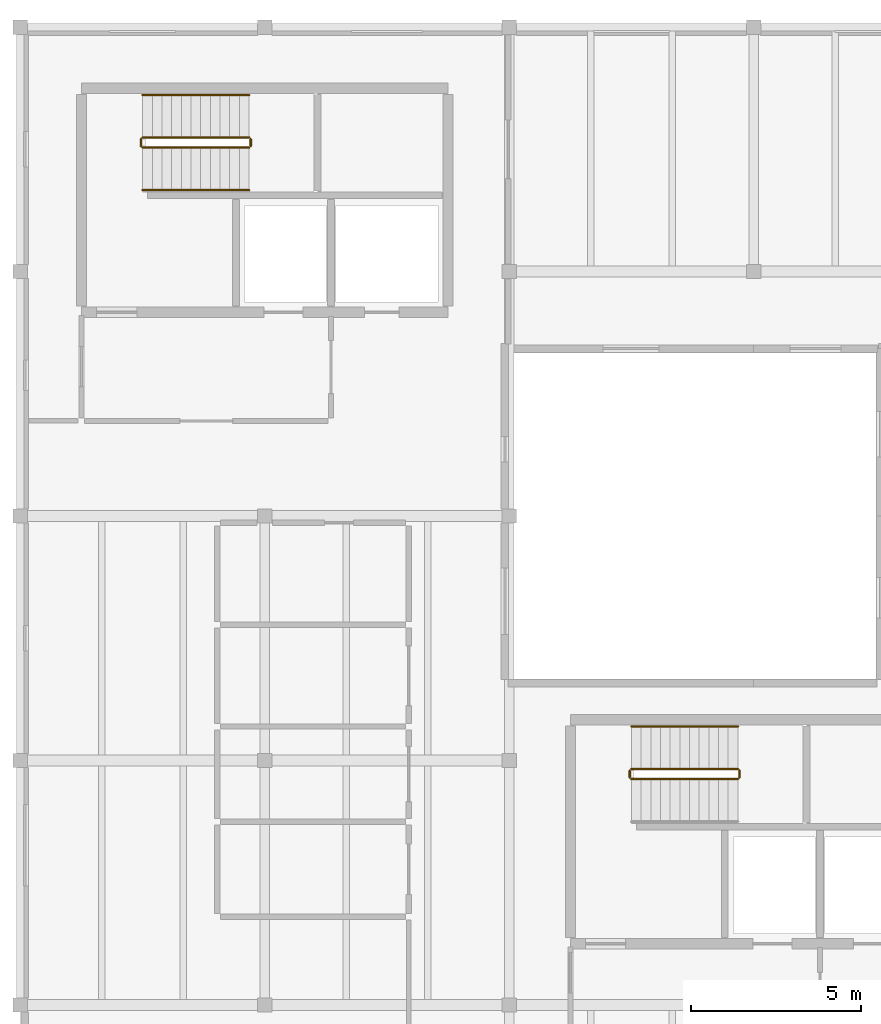
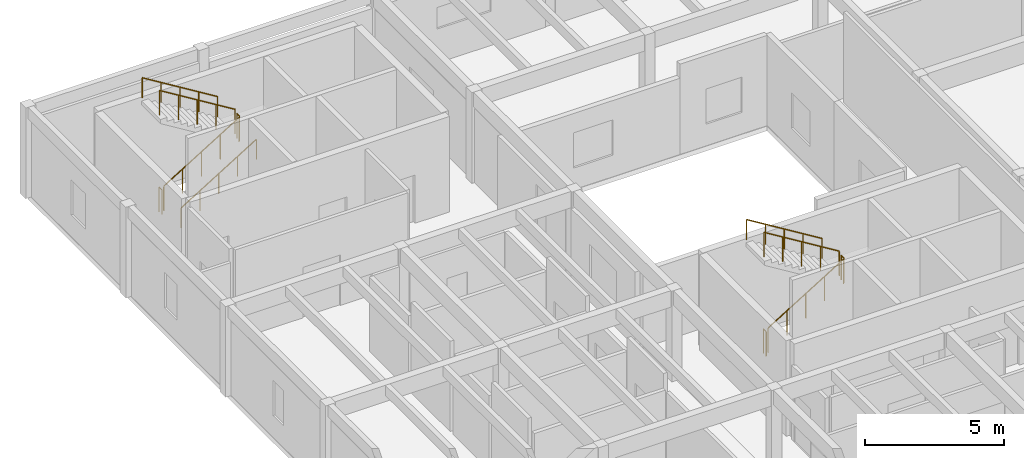
# One storey, part 14 of 15: 11 railings.
"""IFC4 building model written with IfcOpenShell, lengths in metres."""

import ifcopenshell
import ifcopenshell.guid

model = None  # the IFC model being written
_history = None  # IfcOwnerHistory: only IFC2X3 demands one
_inside = {}  # id of a spatial element -> (the spatial element, [elements in it])
_under = {}  # id of a project, library or spatial element -> (it, [spatial elements below it])
_declared = {}  # id of a project -> (the project, [libraries it declares])
_typed = {}  # id of a type object -> (the type object, [elements of that type])
_made_of = {}  # id of a material, layer set ... -> (it, [elements and type objects made of it])


def new_model(schema):
    """Start an empty IFC model of exactly this schema.

    Asked for "IFC4X3", IfcOpenShell would pick the latest addendum, in which some entities
    have other attributes; the version numbers below select the first issue.
    IFC2X3 requires an IfcOwnerHistory on every rooted entity: one is made here for all.
    """
    global model, _history
    if schema == "IFC4X3":
        model = ifcopenshell.file(schema_version=(4, 3, 0, 0))
    else:
        model = ifcopenshell.file(schema=schema)
    _inside.clear()
    _under.clear()
    _declared.clear()
    _typed.clear()
    _made_of.clear()
    _history = None
    if model.schema == "IFC2X3":
        org = make("IfcOrganization", Name="unknown")
        user = make(
            "IfcPersonAndOrganization",
            ThePerson=make("IfcPerson", FamilyName="unknown"),
            TheOrganization=org,
        )
        app = make(
            "IfcApplication",
            ApplicationDeveloper=org,
            Version="unknown",
            ApplicationFullName="unknown",
            ApplicationIdentifier="unknown",
        )
        _history = make(
            "IfcOwnerHistory",
            OwningUser=user,
            OwningApplication=app,
            ChangeAction="ADDED",
            CreationDate=0,
        )
    return model


def make(cls, **values):
    """One entity of the class cls with the attributes given. An attribute that is None is left unset."""
    return model.create_entity(
        cls, **{name: value for name, value in values.items() if value is not None}
    )


def rooted(cls, **values):
    """An entity with a GlobalId (a new one), such as an element, a storey or a relation."""
    return make(cls, GlobalId=ifcopenshell.guid.new(), OwnerHistory=_history, **values)


def si_unit(unit_type, name, prefix=None):
    """IfcSIUnit, for example si_unit("LENGTHUNIT", "METRE", prefix="MILLI")."""
    return make("IfcSIUnit", UnitType=unit_type, Prefix=prefix, Name=name)


def assignment(units):
    """IfcUnitAssignment: the units of a project."""
    return None if units is None else make("IfcUnitAssignment", Units=units)


def point(xyz):
    """IfcCartesianPoint."""
    return None if xyz is None else make("IfcCartesianPoint", Coordinates=xyz)


def direction(xyz):
    """IfcDirection."""
    return None if xyz is None else make("IfcDirection", DirectionRatios=xyz)


def frame(location, z_axis=None, x_axis=None):
    """IfcAxis2Placement3D, a coordinate frame: its origin and axes. An axis left out is left unset."""
    return make(
        "IfcAxis2Placement3D",
        Location=point(location),
        Axis=direction(z_axis),
        RefDirection=direction(x_axis),
    )


def frame_2d(location, x_axis=None):
    """IfcAxis2Placement2D, a coordinate frame in the plane: its origin and x axis."""
    return make(
        "IfcAxis2Placement2D", Location=point(location), RefDirection=direction(x_axis)
    )


def origin():
    """The frame at (0, 0, 0) with its axes left unset."""
    return frame((0.0, 0.0, 0.0))


def origin_2d():
    """The frame at (0, 0) in the plane with its x axis left unset."""
    return frame_2d((0.0, 0.0))


def place(relative_to, where):
    """IfcLocalPlacement: puts the frame where relative to a parent placement (None: the world)."""
    return make(
        "IfcLocalPlacement", PlacementRelTo=relative_to, RelativePlacement=where
    )


def context(
    kind, dimensions, precision=None, world=None, true_north=None, identifier=None
):
    """IfcGeometricRepresentationContext, for example the 3D "Model" context."""
    return make(
        "IfcGeometricRepresentationContext",
        ContextIdentifier=identifier,
        ContextType=kind,
        CoordinateSpaceDimension=dimensions,
        Precision=precision,
        WorldCoordinateSystem=world,
        TrueNorth=true_north,
    )


def subcontext(parent, identifier, kind, view, scale=None):
    """IfcGeometricRepresentationSubContext, for example "Body" below "Model"."""
    return make(
        "IfcGeometricRepresentationSubContext",
        ContextIdentifier=identifier,
        ContextType=kind,
        ParentContext=parent,
        TargetScale=scale,
        TargetView=view,
    )


def project(units=None, contexts=None):
    """IfcProject with its units and contexts."""
    return rooted(
        "IfcProject",
        Name="project",
        RepresentationContexts=contexts,
        UnitsInContext=assignment(units),
    )


def spatial(cls, under=None, at=None, **own):
    """A site, building, storey or space (cls), placed at a placement, below another one or the project."""
    s = rooted(cls, ObjectPlacement=at, **own)
    if under is not None:
        _under.setdefault(under.id(), (under, []))[1].append(s)
    return s


def profile(cls, at=None, kind="AREA", **sizes):
    """A parametric profile (cls). Its sizes go by their IFC names, for example OverallWidth=200.0."""
    return make(cls, ProfileType=kind, Position=at, **sizes)


def circle(**sizes):
    """IfcCircleProfileDef."""
    return profile("IfcCircleProfileDef", **sizes)


def extrude(swept, where, along, depth):
    """IfcExtrudedAreaSolid: the profile swept, set in the frame where, extruded along a direction by depth."""
    return make(
        "IfcExtrudedAreaSolid",
        SweptArea=swept,
        Position=where,
        ExtrudedDirection=direction(along),
        Depth=depth,
    )


def shape(context_of_items, identifier, shape_type, items):
    """IfcShapeRepresentation: the items that make up one representation, for example the "Body"."""
    return make(
        "IfcShapeRepresentation",
        ContextOfItems=context_of_items,
        RepresentationIdentifier=identifier,
        RepresentationType=shape_type,
        Items=items,
    )


def material(Name=None, Category=None):
    """IfcMaterial."""
    return make("IfcMaterial", Name=Name, Category=Category)


def made_of(thing, what):
    """Note that an element or type object is made of a material, layer set ...; save() writes the relation."""
    if what is not None:
        _made_of.setdefault(what.id(), (what, []))[1].append(thing)
    return thing


def type_object(cls, material=None, **own):
    """A type object (cls), such as IfcWallType, which elements share."""
    return made_of(rooted(cls, **own), material)


def element(
    cls,
    number,
    at=None,
    inside=None,
    cuts=None,
    type_object=None,
    material=None,
    context=None,
    identifier="Body",
    shape_type=None,
    held_by="IfcProductDefinitionShape",
    body=None,
    shapes=None,
    **own,
):
    """One element of the class cls, such as IfcWall. Its Tag is "e" and its number.

    at: its placement. inside: the storey or other place that contains it. cuts: it is an
    opening in that element (IfcRelVoidsElement). A single representation is given by context,
    identifier, shape_type and body (its items); several are given by shapes. held_by: the class
    of the entity that holds the representations. save() writes the other relations.
    """
    e = rooted(cls, Tag="e%d" % number, ObjectPlacement=at, **own)
    if body is not None:
        shapes = [shape(context, identifier, shape_type, body)]
    if shapes is not None:
        e.Representation = make(held_by, Representations=shapes)
    if inside is not None:
        _inside.setdefault(inside.id(), (inside, []))[1].append(e)
    if cuts is not None:
        rooted(
            "IfcRelVoidsElement", RelatingBuildingElement=cuts, RelatedOpeningElement=e
        )
    if type_object is not None:
        _typed.setdefault(type_object.id(), (type_object, []))[1].append(e)
    return made_of(e, material)


def aggregate(whole, parts):
    """IfcRelAggregates: a whole, such as a stair, and the parts it consists of."""
    return rooted("IfcRelAggregates", RelatingObject=whole, RelatedObjects=parts)


def save(model, path):
    """Write the relations noted so far, then the file.

    IfcRelAggregates (storeys below a building ...), IfcRelContainedInSpatialStructure (elements
    in a storey), IfcRelDefinesByType, IfcRelAssociatesMaterial and IfcRelDeclares: one each for
    every whole, place, type object, material and project.
    """
    for whole, parts in _under.values():
        aggregate(whole, parts)
    for where, things in _inside.values():
        rooted(
            "IfcRelContainedInSpatialStructure",
            RelatedElements=things,
            RelatingStructure=where,
        )
    for kind, things in _typed.values():
        rooted("IfcRelDefinesByType", RelatedObjects=things, RelatingType=kind)
    for what, things in _made_of.values():
        rooted("IfcRelAssociatesMaterial", RelatedObjects=things, RelatingMaterial=what)
    for by, libraries in _declared.values():
        rooted("IfcRelDeclares", RelatingContext=by, RelatedDefinitions=libraries)
    model.write(path)


model = new_model("IFC4")

# Units and contexts
model_context = context("Model", 3, precision=1e-05, world=origin(), true_north=direction((0.0, 1.0)))
body_context = subcontext(model_context, "Body", "Model", "MODEL_VIEW")
ifc_project = project(units=[si_unit("LENGTHUNIT", "METRE"), si_unit("AREAUNIT", "SQUARE_METRE"), si_unit("VOLUMEUNIT", "CUBIC_METRE"), si_unit("PLANEANGLEUNIT", "RADIAN"), si_unit("MASSUNIT", "GRAM", prefix="KILO")], contexts=[model_context])

# Site, building, storey
site_placement = place(None, origin())
site = spatial("IfcSite", under=ifc_project, at=site_placement, CompositionType="ELEMENT")
building_placement = place(site_placement, origin())
building = spatial("IfcBuilding", under=site, at=building_placement, Name="Bramvelor Terrace Health Centre", CompositionType="ELEMENT")
storey_placement = place(building_placement, frame((0.0, 0.0, 13.5)))
storey = spatial("IfcBuildingStorey", under=building, at=storey_placement, Name="L04", CompositionType="ELEMENT", Elevation=13.5)

# Railings
ifc_material_1 = material(Name="Painted galvanized steel", Category="steel")
railing_type_1 = type_object("IfcRailingType", Name="RLG-GD-1100", PredefinedType="GUARDRAIL", material=ifc_material_1)
railing_1_placement = place(storey_placement, frame((3.60009765625, 111.64990234375, 0.175048828125)))
element("IfcRailing", 1, at=railing_1_placement, inside=storey, type_object=railing_type_1, Name="L04 ST-1 stair guard 1", PredefinedType="GUARDRAIL", context=body_context, shape_type="SweptSolid", body=[
    extrude(circle(Radius=0.02392578125, at=origin_2d()), frame((0.0, 0.0, 1.076171875), z_axis=(0.852166034122, 0.0, 0.523271488128), x_axis=(0.0, 1.0, 0.0)), (0.0, 0.0, 1.0), 3.678955078125),
    extrude(circle(Radius=0.02099609375, at=origin_2d()), origin(), (0.0, 0.0, 1.0), 1.052001953125),
    extrude(circle(Radius=0.02099609375, at=origin_2d()), frame((0.78369140625, 0.0, 0.481201171875)), (0.0, 0.0, 1.0), 1.052001953125),
    extrude(circle(Radius=0.02099609375, at=origin_2d()), frame((1.5673828125, 0.0, 0.96240234375)), (0.0, 0.0, 1.0), 1.052001953125),
    extrude(circle(Radius=0.02099609375, at=origin_2d()), frame((2.351318359375, 0.0, 1.44384765625)), (0.0, 0.0, 1.0), 1.052001953125),
    extrude(circle(Radius=0.02099609375, at=origin_2d()), frame((3.135009765625, 0.0, 1.925048828125)), (0.0, 0.0, 1.0), 1.052001953125),
])
railing_2_placement = place(storey_placement, frame((6.784912109375, 111.699951171875, 2.10009765625)))
element("IfcRailing", 2, at=railing_2_placement, inside=storey, type_object=railing_type_1, Name="L04 ST-1 stair guard 2", PredefinedType="GUARDRAIL", context=body_context, shape_type="SweptSolid", body=[
    extrude(circle(Radius=0.02392578125, at=origin_2d()), frame((0.0, 0.0, 1.076171875), z_axis=(0.0, 1.0, 0.0), x_axis=(-1.0, 0.0, 0.0)), (0.0, 0.0, 1.0), 0.199951171875),
    extrude(circle(Radius=0.02099609375, at=origin_2d()), origin(), (0.0, 0.0, 1.0), 1.052001953125),
    extrude(circle(Radius=0.02099609375, at=origin_2d()), frame((0.0, 0.199951171875, 0.0)), (0.0, 0.0, 1.0), 1.052001953125),
])
railing_3_placement = place(storey_placement, frame((6.735107421875, 111.949951171875, 2.27490234375)))
element("IfcRailing", 3, at=railing_3_placement, inside=storey, type_object=railing_type_1, Name="L04 ST-1 stair guard 3", PredefinedType="GUARDRAIL", context=body_context, shape_type="SweptSolid", body=[
    extrude(circle(Radius=0.02392578125, at=origin_2d()), frame((0.0, 0.0, 1.076171875), z_axis=(-0.852166034122, 0.0, 0.523271488128), x_axis=(0.0, -1.0, 0.0)), (0.0, 0.0, 1.0), 3.678955078125),
    extrude(circle(Radius=0.02099609375, at=origin_2d()), origin(), (0.0, 0.0, 1.0), 1.052001953125),
    extrude(circle(Radius=0.02099609375, at=origin_2d()), frame((-0.78369140625, 0.0, 0.481201171875)), (0.0, 0.0, 1.0), 1.052001953125),
    extrude(circle(Radius=0.02099609375, at=origin_2d()), frame((-1.5673828125, 0.0, 0.96240234375)), (0.0, 0.0, 1.0), 1.052001953125),
    extrude(circle(Radius=0.02099609375, at=origin_2d()), frame((-2.351318359375, 0.0, 1.44384765625)), (0.0, 0.0, 1.0), 1.052001953125),
    extrude(circle(Radius=0.02099609375, at=origin_2d()), frame((-3.135009765625, 0.0, 1.925048828125)), (0.0, 0.0, 1.0), 1.052001953125),
])
railing_4_placement = place(storey_placement, frame((3.550048828125, 111.699951171875, 0.0)))
element("IfcRailing", 4, at=railing_4_placement, inside=storey, type_object=railing_type_1, Name="L04 ST-1 stair guard 4", PredefinedType="GUARDRAIL", context=body_context, shape_type="SweptSolid", body=[
    extrude(circle(Radius=0.02392578125, at=origin_2d()), frame((0.0, 0.0, 1.076171875), z_axis=(0.0, 1.0, 0.0), x_axis=(-1.0, 0.0, 0.0)), (0.0, 0.0, 1.0), 0.199951171875),
    extrude(circle(Radius=0.02099609375, at=origin_2d()), origin(), (0.0, 0.0, 1.0), 1.052001953125),
    extrude(circle(Radius=0.02099609375, at=origin_2d()), frame((0.0, 0.199951171875, 0.0)), (0.0, 0.0, 1.0), 1.052001953125),
])
railing_5_placement = place(storey_placement, frame((18.0, 93.050048828125, 0.175048828125)))
element("IfcRailing", 5, at=railing_5_placement, inside=storey, type_object=railing_type_1, Name="L04 ST-2 stair guard 1", PredefinedType="GUARDRAIL", context=body_context, shape_type="SweptSolid", body=[
    extrude(circle(Radius=0.02392578125, at=origin_2d()), frame((0.0, 0.0, 1.076171875), z_axis=(0.852166034122, 0.0, 0.523271488128), x_axis=(0.0, 1.0, 0.0)), (0.0, 0.0, 1.0), 3.678955078125),
    extrude(circle(Radius=0.02099609375, at=origin_2d()), origin(), (0.0, 0.0, 1.0), 1.052001953125),
    extrude(circle(Radius=0.02099609375, at=origin_2d()), frame((0.78369140625, 0.0, 0.481201171875)), (0.0, 0.0, 1.0), 1.052001953125),
    extrude(circle(Radius=0.02099609375, at=origin_2d()), frame((1.5673828125, 0.0, 0.96240234375)), (0.0, 0.0, 1.0), 1.052001953125),
    extrude(circle(Radius=0.02099609375, at=origin_2d()), frame((2.351318359375, 0.0, 1.44384765625)), (0.0, 0.0, 1.0), 1.052001953125),
    extrude(circle(Radius=0.02099609375, at=origin_2d()), frame((3.135009765625, 0.0, 1.925048828125)), (0.0, 0.0, 1.0), 1.052001953125),
])
railing_6_placement = place(storey_placement, frame((21.18505859375, 93.10009765625, 2.10009765625)))
element("IfcRailing", 6, at=railing_6_placement, inside=storey, type_object=railing_type_1, Name="L04 ST-2 stair guard 2", PredefinedType="GUARDRAIL", context=body_context, shape_type="SweptSolid", body=[
    extrude(circle(Radius=0.02392578125, at=origin_2d()), frame((0.0, 0.0, 1.076171875), z_axis=(0.0, 1.0, 0.0), x_axis=(-1.0, 0.0, 0.0)), (0.0, 0.0, 1.0), 0.199951171875),
    extrude(circle(Radius=0.02099609375, at=origin_2d()), origin(), (0.0, 0.0, 1.0), 1.052001953125),
    extrude(circle(Radius=0.02099609375, at=origin_2d()), frame((0.0, 0.199951171875, 0.0)), (0.0, 0.0, 1.0), 1.052001953125),
])
railing_7_placement = place(storey_placement, frame((21.135009765625, 93.35009765625, 2.27490234375)))
element("IfcRailing", 7, at=railing_7_placement, inside=storey, type_object=railing_type_1, Name="L04 ST-2 stair guard 3", PredefinedType="GUARDRAIL", context=body_context, shape_type="SweptSolid", body=[
    extrude(circle(Radius=0.02392578125, at=origin_2d()), frame((0.0, 0.0, 1.076171875), z_axis=(-0.852166034122, 0.0, 0.523271488128), x_axis=(0.0, -1.0, 0.0)), (0.0, 0.0, 1.0), 3.678955078125),
    extrude(circle(Radius=0.02099609375, at=origin_2d()), origin(), (0.0, 0.0, 1.0), 1.052001953125),
    extrude(circle(Radius=0.02099609375, at=origin_2d()), frame((-0.78369140625, 0.0, 0.481201171875)), (0.0, 0.0, 1.0), 1.052001953125),
    extrude(circle(Radius=0.02099609375, at=origin_2d()), frame((-1.5673828125, 0.0, 0.96240234375)), (0.0, 0.0, 1.0), 1.052001953125),
    extrude(circle(Radius=0.02099609375, at=origin_2d()), frame((-2.351318359375, 0.0, 1.44384765625)), (0.0, 0.0, 1.0), 1.052001953125),
    extrude(circle(Radius=0.02099609375, at=origin_2d()), frame((-3.135009765625, 0.0, 1.925048828125)), (0.0, 0.0, 1.0), 1.052001953125),
])
railing_8_placement = place(storey_placement, frame((17.949951171875, 93.10009765625, 0.0)))
element("IfcRailing", 8, at=railing_8_placement, inside=storey, type_object=railing_type_1, Name="L04 ST-2 stair guard 4", PredefinedType="GUARDRAIL", context=body_context, shape_type="SweptSolid", body=[
    extrude(circle(Radius=0.02392578125, at=origin_2d()), frame((0.0, 0.0, 1.076171875), z_axis=(0.0, 1.0, 0.0), x_axis=(-1.0, 0.0, 0.0)), (0.0, 0.0, 1.0), 0.199951171875),
    extrude(circle(Radius=0.02099609375, at=origin_2d()), origin(), (0.0, 0.0, 1.0), 1.052001953125),
    extrude(circle(Radius=0.02099609375, at=origin_2d()), frame((0.0, 0.199951171875, 0.0)), (0.0, 0.0, 1.0), 1.052001953125),
])
ifc_material_2 = material(Name="Brushed stainless steel 316", Category="steel")
railing_type_2 = type_object("IfcRailingType", Name="RLG-HR-900", PredefinedType="HANDRAIL", material=ifc_material_2)
railing_9_placement = place(storey_placement, frame((3.60009765625, 110.39990234375, 0.175048828125)))
element("IfcRailing", 9, at=railing_9_placement, inside=storey, type_object=railing_type_2, Name="L04 ST-1 stair handrail 1", PredefinedType="HANDRAIL", context=body_context, shape_type="SweptSolid", body=[
    extrude(circle(Radius=0.02392578125, at=origin_2d()), frame((0.0, 0.0, 0.8759765625), z_axis=(0.852166034122, 0.0, 0.523271488128), x_axis=(0.0, 1.0, 0.0)), (0.0, 0.0, 1.0), 3.678955078125),
    extrude(circle(Radius=0.02099609375, at=origin_2d()), origin(), (0.0, 0.0, 1.0), 0.851806640625),
    extrude(circle(Radius=0.02099609375, at=origin_2d()), frame((0.78369140625, 0.0, 0.481201171875)), (0.0, 0.0, 1.0), 0.851806640625),
    extrude(circle(Radius=0.02099609375, at=origin_2d()), frame((1.5673828125, 0.0, 0.96240234375)), (0.0, 0.0, 1.0), 0.851806640625),
    extrude(circle(Radius=0.02099609375, at=origin_2d()), frame((2.351318359375, 0.0, 1.44384765625)), (0.0, 0.0, 1.0), 0.851806640625),
    extrude(circle(Radius=0.02099609375, at=origin_2d()), frame((3.135009765625, 0.0, 1.925048828125)), (0.0, 0.0, 1.0), 0.851806640625),
])
for number, where, name in (
    (10, (6.735107421875, 113.199951171875, 2.27490234375), "L04 ST-1 stair handrail 2"),
    (11, (21.135009765625, 94.60009765625, 2.27490234375), "L04 ST-2 stair handrail 2"),
):
    element("IfcRailing", number, at=place(storey_placement, frame(where)), inside=storey, type_object=railing_type_2, Name=name, PredefinedType="HANDRAIL", context=body_context, shape_type="SweptSolid", body=[
        extrude(circle(Radius=0.02392578125, at=origin_2d()), frame((0.0, 0.0, 0.8759765625), z_axis=(-0.852166034122, 0.0, 0.523271488128), x_axis=(0.0, -1.0, 0.0)), (0.0, 0.0, 1.0), 3.678955078125),
        extrude(circle(Radius=0.02099609375, at=origin_2d()), origin(), (0.0, 0.0, 1.0), 0.851806640625),
        extrude(circle(Radius=0.02099609375, at=origin_2d()), frame((-0.78369140625, 0.0, 0.481201171875)), (0.0, 0.0, 1.0), 0.851806640625),
        extrude(circle(Radius=0.02099609375, at=origin_2d()), frame((-1.5673828125, 0.0, 0.96240234375)), (0.0, 0.0, 1.0), 0.851806640625),
        extrude(circle(Radius=0.02099609375, at=origin_2d()), frame((-2.351318359375, 0.0, 1.44384765625)), (0.0, 0.0, 1.0), 0.851806640625),
        extrude(circle(Radius=0.02099609375, at=origin_2d()), frame((-3.135009765625, 0.0, 1.925048828125)), (0.0, 0.0, 1.0), 0.851806640625),
    ])

save(model, "model.ifc")
